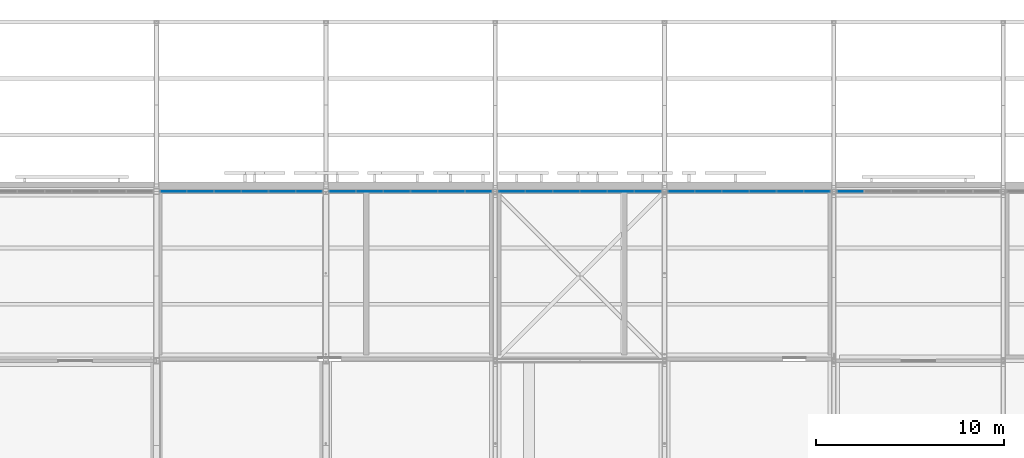
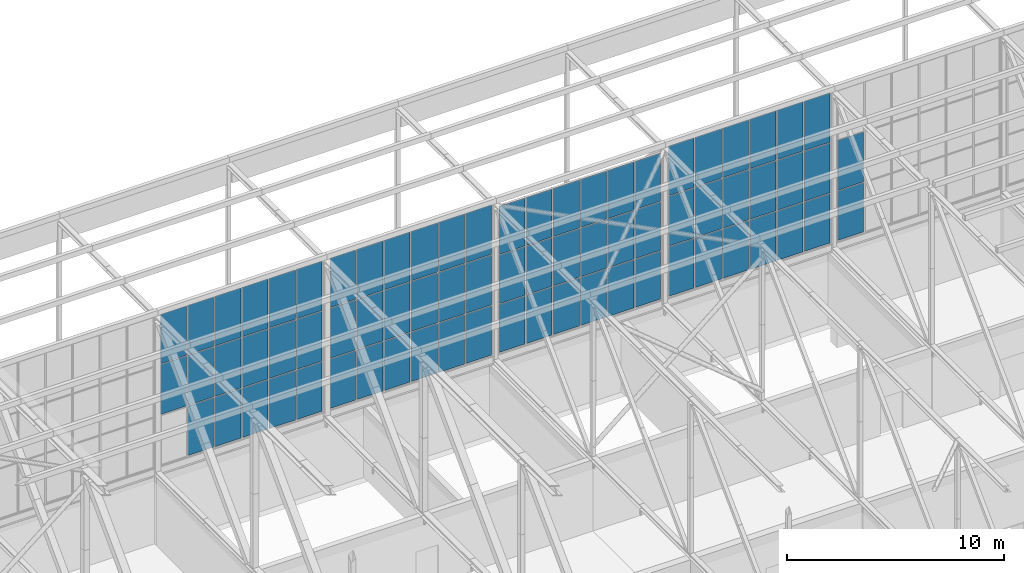
# One storey, part 162 of 646: 73 plates, 5 elements without a shape of their own.
"""IFC4 building model written with IfcOpenShell, lengths in metres."""

import ifcopenshell
import ifcopenshell.guid

model = None  # the IFC model being written
_history = None  # IfcOwnerHistory: only IFC2X3 demands one
_inside = {}  # id of a spatial element -> (the spatial element, [elements in it])
_under = {}  # id of a project, library or spatial element -> (it, [spatial elements below it])
_declared = {}  # id of a project -> (the project, [libraries it declares])
_typed = {}  # id of a type object -> (the type object, [elements of that type])
_made_of = {}  # id of a material, layer set ... -> (it, [elements and type objects made of it])


def new_model(schema):
    """Start an empty IFC model of exactly this schema.

    Asked for "IFC4X3", IfcOpenShell would pick the latest addendum, in which some entities
    have other attributes; the version numbers below select the first issue.
    IFC2X3 requires an IfcOwnerHistory on every rooted entity: one is made here for all.
    """
    global model, _history
    if schema == "IFC4X3":
        model = ifcopenshell.file(schema_version=(4, 3, 0, 0))
    else:
        model = ifcopenshell.file(schema=schema)
    _inside.clear()
    _under.clear()
    _declared.clear()
    _typed.clear()
    _made_of.clear()
    _history = None
    if model.schema == "IFC2X3":
        org = make("IfcOrganization", Name="unknown")
        user = make(
            "IfcPersonAndOrganization",
            ThePerson=make("IfcPerson", FamilyName="unknown"),
            TheOrganization=org,
        )
        app = make(
            "IfcApplication",
            ApplicationDeveloper=org,
            Version="unknown",
            ApplicationFullName="unknown",
            ApplicationIdentifier="unknown",
        )
        _history = make(
            "IfcOwnerHistory",
            OwningUser=user,
            OwningApplication=app,
            ChangeAction="ADDED",
            CreationDate=0,
        )
    return model


def make(cls, **values):
    """One entity of the class cls with the attributes given. An attribute that is None is left unset."""
    return model.create_entity(
        cls, **{name: value for name, value in values.items() if value is not None}
    )


def rooted(cls, **values):
    """An entity with a GlobalId (a new one), such as an element, a storey or a relation."""
    return make(cls, GlobalId=ifcopenshell.guid.new(), OwnerHistory=_history, **values)


def si_unit(unit_type, name, prefix=None):
    """IfcSIUnit, for example si_unit("LENGTHUNIT", "METRE", prefix="MILLI")."""
    return make("IfcSIUnit", UnitType=unit_type, Prefix=prefix, Name=name)


def assignment(units):
    """IfcUnitAssignment: the units of a project."""
    return None if units is None else make("IfcUnitAssignment", Units=units)


def point(xyz):
    """IfcCartesianPoint."""
    return None if xyz is None else make("IfcCartesianPoint", Coordinates=xyz)


def direction(xyz):
    """IfcDirection."""
    return None if xyz is None else make("IfcDirection", DirectionRatios=xyz)


def frame(location, z_axis=None, x_axis=None):
    """IfcAxis2Placement3D, a coordinate frame: its origin and axes. An axis left out is left unset."""
    return make(
        "IfcAxis2Placement3D",
        Location=point(location),
        Axis=direction(z_axis),
        RefDirection=direction(x_axis),
    )


def frame_2d(location, x_axis=None):
    """IfcAxis2Placement2D, a coordinate frame in the plane: its origin and x axis."""
    return make(
        "IfcAxis2Placement2D", Location=point(location), RefDirection=direction(x_axis)
    )


def origin():
    """The frame at (0, 0, 0) with its axes left unset."""
    return frame((0.0, 0.0, 0.0))


def origin_2d():
    """The frame at (0, 0) in the plane with its x axis left unset."""
    return frame_2d((0.0, 0.0))


def place(relative_to, where):
    """IfcLocalPlacement: puts the frame where relative to a parent placement (None: the world)."""
    return make(
        "IfcLocalPlacement", PlacementRelTo=relative_to, RelativePlacement=where
    )


def context(
    kind, dimensions, precision=None, world=None, true_north=None, identifier=None
):
    """IfcGeometricRepresentationContext, for example the 3D "Model" context."""
    return make(
        "IfcGeometricRepresentationContext",
        ContextIdentifier=identifier,
        ContextType=kind,
        CoordinateSpaceDimension=dimensions,
        Precision=precision,
        WorldCoordinateSystem=world,
        TrueNorth=true_north,
    )


def subcontext(parent, identifier, kind, view, scale=None):
    """IfcGeometricRepresentationSubContext, for example "Body" below "Model"."""
    return make(
        "IfcGeometricRepresentationSubContext",
        ContextIdentifier=identifier,
        ContextType=kind,
        ParentContext=parent,
        TargetScale=scale,
        TargetView=view,
    )


def project(units=None, contexts=None):
    """IfcProject with its units and contexts."""
    return rooted(
        "IfcProject",
        Name="project",
        RepresentationContexts=contexts,
        UnitsInContext=assignment(units),
    )


def spatial(cls, under=None, at=None, **own):
    """A site, building, storey or space (cls), placed at a placement, below another one or the project."""
    s = rooted(cls, ObjectPlacement=at, **own)
    if under is not None:
        _under.setdefault(under.id(), (under, []))[1].append(s)
    return s


def profile(cls, at=None, kind="AREA", **sizes):
    """A parametric profile (cls). Its sizes go by their IFC names, for example OverallWidth=200.0."""
    return make(cls, ProfileType=kind, Position=at, **sizes)


def rectangle(**sizes):
    """IfcRectangleProfileDef."""
    return profile("IfcRectangleProfileDef", **sizes)


def extrude(swept, where, along, depth):
    """IfcExtrudedAreaSolid: the profile swept, set in the frame where, extruded along a direction by depth."""
    return make(
        "IfcExtrudedAreaSolid",
        SweptArea=swept,
        Position=where,
        ExtrudedDirection=direction(along),
        Depth=depth,
    )


def shape(context_of_items, identifier, shape_type, items):
    """IfcShapeRepresentation: the items that make up one representation, for example the "Body"."""
    return make(
        "IfcShapeRepresentation",
        ContextOfItems=context_of_items,
        RepresentationIdentifier=identifier,
        RepresentationType=shape_type,
        Items=items,
    )


def material(Name=None, Category=None):
    """IfcMaterial."""
    return make("IfcMaterial", Name=Name, Category=Category)


def layer(
    of_material, thickness, ventilated=None, Name=None, Category=None, Priority=None
):
    """IfcMaterialLayer: one layer of a wall or slab, of a material (None: an air gap)."""
    return make(
        "IfcMaterialLayer",
        Material=of_material,
        LayerThickness=thickness,
        IsVentilated=ventilated,
        Name=Name,
        Category=Category,
        Priority=Priority,
    )


def layer_set(layers, Name=None):
    """IfcMaterialLayerSet."""
    return make("IfcMaterialLayerSet", MaterialLayers=layers, LayerSetName=Name)


def made_of(thing, what):
    """Note that an element or type object is made of a material, layer set ...; save() writes the relation."""
    if what is not None:
        _made_of.setdefault(what.id(), (what, []))[1].append(thing)
    return thing


def type_object(cls, material=None, **own):
    """A type object (cls), such as IfcWallType, which elements share."""
    return made_of(rooted(cls, **own), material)


def element(
    cls,
    number,
    at=None,
    inside=None,
    cuts=None,
    type_object=None,
    material=None,
    context=None,
    identifier="Body",
    shape_type=None,
    held_by="IfcProductDefinitionShape",
    body=None,
    shapes=None,
    **own,
):
    """One element of the class cls, such as IfcWall. Its Tag is "e" and its number.

    at: its placement. inside: the storey or other place that contains it. cuts: it is an
    opening in that element (IfcRelVoidsElement). A single representation is given by context,
    identifier, shape_type and body (its items); several are given by shapes. held_by: the class
    of the entity that holds the representations. save() writes the other relations.
    """
    e = rooted(cls, Tag="e%d" % number, ObjectPlacement=at, **own)
    if body is not None:
        shapes = [shape(context, identifier, shape_type, body)]
    if shapes is not None:
        e.Representation = make(held_by, Representations=shapes)
    if inside is not None:
        _inside.setdefault(inside.id(), (inside, []))[1].append(e)
    if cuts is not None:
        rooted(
            "IfcRelVoidsElement", RelatingBuildingElement=cuts, RelatedOpeningElement=e
        )
    if type_object is not None:
        _typed.setdefault(type_object.id(), (type_object, []))[1].append(e)
    return made_of(e, material)


def aggregate(whole, parts):
    """IfcRelAggregates: a whole, such as a stair, and the parts it consists of."""
    return rooted("IfcRelAggregates", RelatingObject=whole, RelatedObjects=parts)


def save(model, path):
    """Write the relations noted so far, then the file.

    IfcRelAggregates (storeys below a building ...), IfcRelContainedInSpatialStructure (elements
    in a storey), IfcRelDefinesByType, IfcRelAssociatesMaterial and IfcRelDeclares: one each for
    every whole, place, type object, material and project.
    """
    for whole, parts in _under.values():
        aggregate(whole, parts)
    for where, things in _inside.values():
        rooted(
            "IfcRelContainedInSpatialStructure",
            RelatedElements=things,
            RelatingStructure=where,
        )
    for kind, things in _typed.values():
        rooted("IfcRelDefinesByType", RelatedObjects=things, RelatingType=kind)
    for what, things in _made_of.values():
        rooted("IfcRelAssociatesMaterial", RelatedObjects=things, RelatingMaterial=what)
    for by, libraries in _declared.values():
        rooted("IfcRelDeclares", RelatingContext=by, RelatedDefinitions=libraries)
    model.write(path)


model = new_model("IFC4")

# Units and contexts
model_context = context("Model", 3, precision=1e-05, world=origin(), true_north=direction((0.0, 1.0)))
body_context = subcontext(model_context, "Body", "Model", "MODEL_VIEW")
ifc_project = project(units=[si_unit("LENGTHUNIT", "METRE"), si_unit("AREAUNIT", "SQUARE_METRE"), si_unit("VOLUMEUNIT", "CUBIC_METRE"), si_unit("PLANEANGLEUNIT", "RADIAN"), si_unit("MASSUNIT", "GRAM", prefix="KILO")], contexts=[model_context])

# Site, building, storey
site_placement = place(None, origin())
site = spatial("IfcSite", under=ifc_project, at=site_placement, CompositionType="ELEMENT")
building_placement = place(site_placement, origin())
building = spatial("IfcBuilding", under=site, at=building_placement, Name="Silverbay Arena", CompositionType="ELEMENT")
storey_placement = place(building_placement, frame((0.0, 0.0, 33.5)))
storey = spatial("IfcBuildingStorey", under=building, at=storey_placement, Name="L05", CompositionType="ELEMENT", Elevation=33.5)

# Curtain wall, plates
ifc_material_1 = material(Name="Aluminium framed glazing", Category="aluminium")
curtain_wall_type_1 = type_object("IfcCurtainWallType", Name="Curtain wall clerestory 8693 x 8540", PredefinedType="NOTDEFINED", material=ifc_material_1)
curtain_wall_1_placement = place(storey_placement, origin())
curtain_wall_1 = element("IfcCurtainWall", 1, at=curtain_wall_1_placement, inside=storey, type_object=curtain_wall_type_1, Name="ROOF CLERESTORY CURTAIN WALL north bay 11", PredefinedType="NOTDEFINED")
ifc_material_2 = material(Name="Laminated glass", Category="glass")
ifc_layer = layer(ifc_material_2, 0.028076171875)
ifc_layer_set = layer_set([ifc_layer], Name="Laminated glass")
plate_type = type_object("IfcPlateType", Name="Glass panel 28", PredefinedType="CURTAIN_PANEL", material=ifc_layer_set)
plate_1_placement = place(storey_placement, frame((144.89306640625, 144.0, 7.33154296875), z_axis=(0.0, 0.0, 1.0), x_axis=(1.0, 0.0, 0.0)))
plate_1 = element("IfcPlate", 2, at=plate_1_placement, type_object=plate_type, Name="CW55 panel 1.2", PredefinedType="CURTAIN_PANEL", context=body_context, shape_type="SweptSolid", body=[
    extrude(rectangle(XDim=1.35888671875, YDim=0.028076171875, at=origin_2d()), origin(), (0.0, 0.0, 1.0), 2.796630859375),
])
plate_2_placement = place(storey_placement, frame((144.89306640625, 144.0, 10.17822265625), z_axis=(0.0, 0.0, 1.0), x_axis=(1.0, 0.0, 0.0)))
plate_2 = element("IfcPlate", 3, at=plate_2_placement, type_object=plate_type, Name="CW55 panel 1.3", PredefinedType="CURTAIN_PANEL", context=body_context, shape_type="SweptSolid", body=[
    extrude(rectangle(XDim=1.35888671875, YDim=0.028076171875, at=origin_2d()), origin(), (0.0, 0.0, 1.0), 2.771728515625),
])
plate_3_placement = place(storey_placement, frame((146.326904296875, 144.0, 4.509765625), z_axis=(0.0, 0.0, 1.0), x_axis=(1.0, 0.0, 0.0)))
plate_3 = element("IfcPlate", 4, at=plate_3_placement, type_object=plate_type, Name="CW55 panel 2.1", PredefinedType="CURTAIN_PANEL", context=body_context, shape_type="SweptSolid", body=[
    extrude(rectangle(XDim=1.388671875, YDim=0.028076171875, at=origin_2d()), origin(), (0.0, 0.0, 1.0), 2.771728515625),
])
plate_4_placement = place(storey_placement, frame((146.326904296875, 144.0, 7.33154296875), z_axis=(0.0, 0.0, 1.0), x_axis=(1.0, 0.0, 0.0)))
plate_4 = element("IfcPlate", 5, at=plate_4_placement, type_object=plate_type, Name="CW55 panel 2.2", PredefinedType="CURTAIN_PANEL", context=body_context, shape_type="SweptSolid", body=[
    extrude(rectangle(XDim=1.388671875, YDim=0.028076171875, at=origin_2d()), origin(), (0.0, 0.0, 1.0), 2.796630859375),
])
plate_5_placement = place(storey_placement, frame((146.326904296875, 144.0, 10.17822265625), z_axis=(0.0, 0.0, 1.0), x_axis=(1.0, 0.0, 0.0)))
plate_5 = element("IfcPlate", 6, at=plate_5_placement, type_object=plate_type, Name="CW55 panel 2.3", PredefinedType="CURTAIN_PANEL", context=body_context, shape_type="SweptSolid", body=[
    extrude(rectangle(XDim=1.388671875, YDim=0.028076171875, at=origin_2d()), origin(), (0.0, 0.0, 1.0), 2.771728515625),
])
plate_6_placement = place(storey_placement, frame((147.775634765625, 144.0, 4.509765625), z_axis=(0.0, 0.0, 1.0), x_axis=(1.0, 0.0, 0.0)))
plate_6 = element("IfcPlate", 7, at=plate_6_placement, type_object=plate_type, Name="CW55 panel 3.1", PredefinedType="CURTAIN_PANEL", context=body_context, shape_type="SweptSolid", body=[
    extrude(rectangle(XDim=1.388671875, YDim=0.028076171875, at=origin_2d()), origin(), (0.0, 0.0, 1.0), 2.771728515625),
])
plate_7_placement = place(storey_placement, frame((147.775634765625, 144.0, 7.33154296875), z_axis=(0.0, 0.0, 1.0), x_axis=(1.0, 0.0, 0.0)))
plate_7 = element("IfcPlate", 8, at=plate_7_placement, type_object=plate_type, Name="CW55 panel 3.2", PredefinedType="CURTAIN_PANEL", context=body_context, shape_type="SweptSolid", body=[
    extrude(rectangle(XDim=1.388671875, YDim=0.028076171875, at=origin_2d()), origin(), (0.0, 0.0, 1.0), 2.796630859375),
])
plate_8_placement = place(storey_placement, frame((147.775634765625, 144.0, 10.17822265625), z_axis=(0.0, 0.0, 1.0), x_axis=(1.0, 0.0, 0.0)))
plate_8 = element("IfcPlate", 9, at=plate_8_placement, type_object=plate_type, Name="CW55 panel 3.3", PredefinedType="CURTAIN_PANEL", context=body_context, shape_type="SweptSolid", body=[
    extrude(rectangle(XDim=1.388671875, YDim=0.028076171875, at=origin_2d()), origin(), (0.0, 0.0, 1.0), 2.771728515625),
])
plate_9_placement = place(storey_placement, frame((149.224365234375, 144.0, 4.509765625), z_axis=(0.0, 0.0, 1.0), x_axis=(1.0, 0.0, 0.0)))
plate_9 = element("IfcPlate", 10, at=plate_9_placement, type_object=plate_type, Name="CW55 panel 4.1", PredefinedType="CURTAIN_PANEL", context=body_context, shape_type="SweptSolid", body=[
    extrude(rectangle(XDim=1.388671875, YDim=0.028076171875, at=origin_2d()), origin(), (0.0, 0.0, 1.0), 2.771728515625),
])
plate_10_placement = place(storey_placement, frame((149.224365234375, 144.0, 7.33154296875), z_axis=(0.0, 0.0, 1.0), x_axis=(1.0, 0.0, 0.0)))
plate_10 = element("IfcPlate", 11, at=plate_10_placement, type_object=plate_type, Name="CW55 panel 4.2", PredefinedType="CURTAIN_PANEL", context=body_context, shape_type="SweptSolid", body=[
    extrude(rectangle(XDim=1.388671875, YDim=0.028076171875, at=origin_2d()), origin(), (0.0, 0.0, 1.0), 2.796630859375),
])
plate_11_placement = place(storey_placement, frame((149.224365234375, 144.0, 10.17822265625), z_axis=(0.0, 0.0, 1.0), x_axis=(1.0, 0.0, 0.0)))
plate_11 = element("IfcPlate", 12, at=plate_11_placement, type_object=plate_type, Name="CW55 panel 4.3", PredefinedType="CURTAIN_PANEL", context=body_context, shape_type="SweptSolid", body=[
    extrude(rectangle(XDim=1.388671875, YDim=0.028076171875, at=origin_2d()), origin(), (0.0, 0.0, 1.0), 2.771728515625),
])
plate_12_placement = place(storey_placement, frame((150.673095703125, 144.0, 4.509765625), z_axis=(0.0, 0.0, 1.0), x_axis=(1.0, 0.0, 0.0)))
plate_12 = element("IfcPlate", 13, at=plate_12_placement, type_object=plate_type, Name="CW55 panel 5.1", PredefinedType="CURTAIN_PANEL", context=body_context, shape_type="SweptSolid", body=[
    extrude(rectangle(XDim=1.388671875, YDim=0.028076171875, at=origin_2d()), origin(), (0.0, 0.0, 1.0), 2.771728515625),
])
plate_13_placement = place(storey_placement, frame((150.673095703125, 144.0, 7.33154296875), z_axis=(0.0, 0.0, 1.0), x_axis=(1.0, 0.0, 0.0)))
plate_13 = element("IfcPlate", 14, at=plate_13_placement, type_object=plate_type, Name="CW55 panel 5.2", PredefinedType="CURTAIN_PANEL", context=body_context, shape_type="SweptSolid", body=[
    extrude(rectangle(XDim=1.388671875, YDim=0.028076171875, at=origin_2d()), origin(), (0.0, 0.0, 1.0), 2.796630859375),
])
plate_14_placement = place(storey_placement, frame((150.673095703125, 144.0, 10.17822265625), z_axis=(0.0, 0.0, 1.0), x_axis=(1.0, 0.0, 0.0)))
plate_14 = element("IfcPlate", 15, at=plate_14_placement, type_object=plate_type, Name="CW55 panel 5.3", PredefinedType="CURTAIN_PANEL", context=body_context, shape_type="SweptSolid", body=[
    extrude(rectangle(XDim=1.388671875, YDim=0.028076171875, at=origin_2d()), origin(), (0.0, 0.0, 1.0), 2.771728515625),
])
plate_15_placement = place(storey_placement, frame((152.10693359375, 144.0, 4.509765625), z_axis=(0.0, 0.0, 1.0), x_axis=(1.0, 0.0, 0.0)))
plate_15 = element("IfcPlate", 16, at=plate_15_placement, type_object=plate_type, Name="CW55 panel 6.1", PredefinedType="CURTAIN_PANEL", context=body_context, shape_type="SweptSolid", body=[
    extrude(rectangle(XDim=1.35888671875, YDim=0.028076171875, at=origin_2d()), origin(), (0.0, 0.0, 1.0), 2.771728515625),
])
plate_16_placement = place(storey_placement, frame((152.10693359375, 144.0, 7.33154296875), z_axis=(0.0, 0.0, 1.0), x_axis=(1.0, 0.0, 0.0)))
plate_16 = element("IfcPlate", 17, at=plate_16_placement, type_object=plate_type, Name="CW55 panel 6.2", PredefinedType="CURTAIN_PANEL", context=body_context, shape_type="SweptSolid", body=[
    extrude(rectangle(XDim=1.35888671875, YDim=0.028076171875, at=origin_2d()), origin(), (0.0, 0.0, 1.0), 2.796630859375),
])
plate_17_placement = place(storey_placement, frame((152.10693359375, 144.0, 10.17822265625), z_axis=(0.0, 0.0, 1.0), x_axis=(1.0, 0.0, 0.0)))
plate_17 = element("IfcPlate", 18, at=plate_17_placement, type_object=plate_type, Name="CW55 panel 6.3", PredefinedType="CURTAIN_PANEL", context=body_context, shape_type="SweptSolid", body=[
    extrude(rectangle(XDim=1.35888671875, YDim=0.028076171875, at=origin_2d()), origin(), (0.0, 0.0, 1.0), 2.771728515625),
])
aggregate(curtain_wall_1, [plate_1, plate_2, plate_3, plate_4, plate_5, plate_6, plate_7, plate_8, plate_9, plate_10, plate_11, plate_12, plate_13, plate_14, plate_15, plate_16, plate_17])

curtain_wall_2_placement = place(storey_placement, origin())
curtain_wall_2 = element("IfcCurtainWall", 19, at=curtain_wall_2_placement, inside=storey, type_object=curtain_wall_type_1, Name="ROOF CLERESTORY CURTAIN WALL north bay 12", PredefinedType="NOTDEFINED")
plate_18_placement = place(storey_placement, frame((153.89306640625, 144.0, 4.509765625), z_axis=(0.0, 0.0, 1.0), x_axis=(1.0, 0.0, 0.0)))
plate_18 = element("IfcPlate", 20, at=plate_18_placement, type_object=plate_type, Name="CW55 panel 1.1", PredefinedType="CURTAIN_PANEL", context=body_context, shape_type="SweptSolid", body=[
    extrude(rectangle(XDim=1.35888671875, YDim=0.028076171875, at=origin_2d()), origin(), (0.0, 0.0, 1.0), 2.771728515625),
])
plate_19_placement = place(storey_placement, frame((153.89306640625, 144.0, 7.33154296875), z_axis=(0.0, 0.0, 1.0), x_axis=(1.0, 0.0, 0.0)))
plate_19 = element("IfcPlate", 21, at=plate_19_placement, type_object=plate_type, Name="CW55 panel 1.2", PredefinedType="CURTAIN_PANEL", context=body_context, shape_type="SweptSolid", body=[
    extrude(rectangle(XDim=1.35888671875, YDim=0.028076171875, at=origin_2d()), origin(), (0.0, 0.0, 1.0), 2.796630859375),
])
plate_20_placement = place(storey_placement, frame((153.89306640625, 144.0, 10.17822265625), z_axis=(0.0, 0.0, 1.0), x_axis=(1.0, 0.0, 0.0)))
plate_20 = element("IfcPlate", 22, at=plate_20_placement, type_object=plate_type, Name="CW55 panel 1.3", PredefinedType="CURTAIN_PANEL", context=body_context, shape_type="SweptSolid", body=[
    extrude(rectangle(XDim=1.35888671875, YDim=0.028076171875, at=origin_2d()), origin(), (0.0, 0.0, 1.0), 2.771728515625),
])
plate_21_placement = place(storey_placement, frame((155.326904296875, 144.0, 4.509765625), z_axis=(0.0, 0.0, 1.0), x_axis=(1.0, 0.0, 0.0)))
plate_21 = element("IfcPlate", 23, at=plate_21_placement, type_object=plate_type, Name="CW55 panel 2.1", PredefinedType="CURTAIN_PANEL", context=body_context, shape_type="SweptSolid", body=[
    extrude(rectangle(XDim=1.388671875, YDim=0.028076171875, at=origin_2d()), origin(), (0.0, 0.0, 1.0), 2.771728515625),
])
plate_22_placement = place(storey_placement, frame((155.326904296875, 144.0, 7.33154296875), z_axis=(0.0, 0.0, 1.0), x_axis=(1.0, 0.0, 0.0)))
plate_22 = element("IfcPlate", 24, at=plate_22_placement, type_object=plate_type, Name="CW55 panel 2.2", PredefinedType="CURTAIN_PANEL", context=body_context, shape_type="SweptSolid", body=[
    extrude(rectangle(XDim=1.388671875, YDim=0.028076171875, at=origin_2d()), origin(), (0.0, 0.0, 1.0), 2.796630859375),
])
plate_23_placement = place(storey_placement, frame((155.326904296875, 144.0, 10.17822265625), z_axis=(0.0, 0.0, 1.0), x_axis=(1.0, 0.0, 0.0)))
plate_23 = element("IfcPlate", 25, at=plate_23_placement, type_object=plate_type, Name="CW55 panel 2.3", PredefinedType="CURTAIN_PANEL", context=body_context, shape_type="SweptSolid", body=[
    extrude(rectangle(XDim=1.388671875, YDim=0.028076171875, at=origin_2d()), origin(), (0.0, 0.0, 1.0), 2.771728515625),
])
plate_24_placement = place(storey_placement, frame((156.775634765625, 144.0, 4.509765625), z_axis=(0.0, 0.0, 1.0), x_axis=(1.0, 0.0, 0.0)))
plate_24 = element("IfcPlate", 26, at=plate_24_placement, type_object=plate_type, Name="CW55 panel 3.1", PredefinedType="CURTAIN_PANEL", context=body_context, shape_type="SweptSolid", body=[
    extrude(rectangle(XDim=1.388671875, YDim=0.028076171875, at=origin_2d()), origin(), (0.0, 0.0, 1.0), 2.771728515625),
])
plate_25_placement = place(storey_placement, frame((156.775634765625, 144.0, 7.33154296875), z_axis=(0.0, 0.0, 1.0), x_axis=(1.0, 0.0, 0.0)))
plate_25 = element("IfcPlate", 27, at=plate_25_placement, type_object=plate_type, Name="CW55 panel 3.2", PredefinedType="CURTAIN_PANEL", context=body_context, shape_type="SweptSolid", body=[
    extrude(rectangle(XDim=1.388671875, YDim=0.028076171875, at=origin_2d()), origin(), (0.0, 0.0, 1.0), 2.796630859375),
])
plate_26_placement = place(storey_placement, frame((156.775634765625, 144.0, 10.17822265625), z_axis=(0.0, 0.0, 1.0), x_axis=(1.0, 0.0, 0.0)))
plate_26 = element("IfcPlate", 28, at=plate_26_placement, type_object=plate_type, Name="CW55 panel 3.3", PredefinedType="CURTAIN_PANEL", context=body_context, shape_type="SweptSolid", body=[
    extrude(rectangle(XDim=1.388671875, YDim=0.028076171875, at=origin_2d()), origin(), (0.0, 0.0, 1.0), 2.771728515625),
])
plate_27_placement = place(storey_placement, frame((158.224365234375, 144.0, 4.509765625), z_axis=(0.0, 0.0, 1.0), x_axis=(1.0, 0.0, 0.0)))
plate_27 = element("IfcPlate", 29, at=plate_27_placement, type_object=plate_type, Name="CW55 panel 4.1", PredefinedType="CURTAIN_PANEL", context=body_context, shape_type="SweptSolid", body=[
    extrude(rectangle(XDim=1.388671875, YDim=0.028076171875, at=origin_2d()), origin(), (0.0, 0.0, 1.0), 2.771728515625),
])
plate_28_placement = place(storey_placement, frame((158.224365234375, 144.0, 7.33154296875), z_axis=(0.0, 0.0, 1.0), x_axis=(1.0, 0.0, 0.0)))
plate_28 = element("IfcPlate", 30, at=plate_28_placement, type_object=plate_type, Name="CW55 panel 4.2", PredefinedType="CURTAIN_PANEL", context=body_context, shape_type="SweptSolid", body=[
    extrude(rectangle(XDim=1.388671875, YDim=0.028076171875, at=origin_2d()), origin(), (0.0, 0.0, 1.0), 2.796630859375),
])
plate_29_placement = place(storey_placement, frame((158.224365234375, 144.0, 10.17822265625), z_axis=(0.0, 0.0, 1.0), x_axis=(1.0, 0.0, 0.0)))
plate_29 = element("IfcPlate", 31, at=plate_29_placement, type_object=plate_type, Name="CW55 panel 4.3", PredefinedType="CURTAIN_PANEL", context=body_context, shape_type="SweptSolid", body=[
    extrude(rectangle(XDim=1.388671875, YDim=0.028076171875, at=origin_2d()), origin(), (0.0, 0.0, 1.0), 2.771728515625),
])
plate_30_placement = place(storey_placement, frame((159.673095703125, 144.0, 4.509765625), z_axis=(0.0, 0.0, 1.0), x_axis=(1.0, 0.0, 0.0)))
plate_30 = element("IfcPlate", 32, at=plate_30_placement, type_object=plate_type, Name="CW55 panel 5.1", PredefinedType="CURTAIN_PANEL", context=body_context, shape_type="SweptSolid", body=[
    extrude(rectangle(XDim=1.388671875, YDim=0.028076171875, at=origin_2d()), origin(), (0.0, 0.0, 1.0), 2.771728515625),
])
plate_31_placement = place(storey_placement, frame((159.673095703125, 144.0, 7.33154296875), z_axis=(0.0, 0.0, 1.0), x_axis=(1.0, 0.0, 0.0)))
plate_31 = element("IfcPlate", 33, at=plate_31_placement, type_object=plate_type, Name="CW55 panel 5.2", PredefinedType="CURTAIN_PANEL", context=body_context, shape_type="SweptSolid", body=[
    extrude(rectangle(XDim=1.388671875, YDim=0.028076171875, at=origin_2d()), origin(), (0.0, 0.0, 1.0), 2.796630859375),
])
plate_32_placement = place(storey_placement, frame((159.673095703125, 144.0, 10.17822265625), z_axis=(0.0, 0.0, 1.0), x_axis=(1.0, 0.0, 0.0)))
plate_32 = element("IfcPlate", 34, at=plate_32_placement, type_object=plate_type, Name="CW55 panel 5.3", PredefinedType="CURTAIN_PANEL", context=body_context, shape_type="SweptSolid", body=[
    extrude(rectangle(XDim=1.388671875, YDim=0.028076171875, at=origin_2d()), origin(), (0.0, 0.0, 1.0), 2.771728515625),
])
plate_33_placement = place(storey_placement, frame((161.10693359375, 144.0, 4.509765625), z_axis=(0.0, 0.0, 1.0), x_axis=(1.0, 0.0, 0.0)))
plate_33 = element("IfcPlate", 35, at=plate_33_placement, type_object=plate_type, Name="CW55 panel 6.1", PredefinedType="CURTAIN_PANEL", context=body_context, shape_type="SweptSolid", body=[
    extrude(rectangle(XDim=1.35888671875, YDim=0.028076171875, at=origin_2d()), origin(), (0.0, 0.0, 1.0), 2.771728515625),
])
plate_34_placement = place(storey_placement, frame((161.10693359375, 144.0, 7.33154296875), z_axis=(0.0, 0.0, 1.0), x_axis=(1.0, 0.0, 0.0)))
plate_34 = element("IfcPlate", 36, at=plate_34_placement, type_object=plate_type, Name="CW55 panel 6.2", PredefinedType="CURTAIN_PANEL", context=body_context, shape_type="SweptSolid", body=[
    extrude(rectangle(XDim=1.35888671875, YDim=0.028076171875, at=origin_2d()), origin(), (0.0, 0.0, 1.0), 2.796630859375),
])
plate_35_placement = place(storey_placement, frame((161.10693359375, 144.0, 10.17822265625), z_axis=(0.0, 0.0, 1.0), x_axis=(1.0, 0.0, 0.0)))
plate_35 = element("IfcPlate", 37, at=plate_35_placement, type_object=plate_type, Name="CW55 panel 6.3", PredefinedType="CURTAIN_PANEL", context=body_context, shape_type="SweptSolid", body=[
    extrude(rectangle(XDim=1.35888671875, YDim=0.028076171875, at=origin_2d()), origin(), (0.0, 0.0, 1.0), 2.771728515625),
])
aggregate(curtain_wall_2, [plate_18, plate_19, plate_20, plate_21, plate_22, plate_23, plate_24, plate_25, plate_26, plate_27, plate_28, plate_29, plate_30, plate_31, plate_32, plate_33, plate_34, plate_35])

ifc_material_3 = material(Name="Aluminium framed glazing", Category="aluminium")
curtain_wall_type_2 = type_object("IfcCurtainWallType", Name="Curtain wall clerestory 8693 x 8303", PredefinedType="NOTDEFINED", material=ifc_material_3)
curtain_wall_3_placement = place(storey_placement, origin())
curtain_wall_3 = element("IfcCurtainWall", 38, at=curtain_wall_3_placement, inside=storey, type_object=curtain_wall_type_2, Name="ROOF CLERESTORY CURTAIN WALL north bay 13", PredefinedType="NOTDEFINED")
plate_36_placement = place(storey_placement, frame((162.89306640625, 144.0, 4.510009765625), z_axis=(0.0, 0.0, 1.0), x_axis=(1.0, 0.0, 0.0)))
plate_36 = element("IfcPlate", 39, at=plate_36_placement, type_object=plate_type, Name="CW54 panel 1.1", PredefinedType="CURTAIN_PANEL", context=body_context, shape_type="SweptSolid", body=[
    extrude(rectangle(XDim=1.35888671875, YDim=0.028076171875, at=origin_2d()), origin(), (0.0, 0.0, 1.0), 2.69287109375),
])
plate_37_placement = place(storey_placement, frame((162.89306640625, 144.0, 7.2529296875), z_axis=(0.0, 0.0, 1.0), x_axis=(1.0, 0.0, 0.0)))
plate_37 = element("IfcPlate", 40, at=plate_37_placement, type_object=plate_type, Name="CW54 panel 1.2", PredefinedType="CURTAIN_PANEL", context=body_context, shape_type="SweptSolid", body=[
    extrude(rectangle(XDim=1.35888671875, YDim=0.028076171875, at=origin_2d()), origin(), (0.0, 0.0, 1.0), 2.7177734375),
])
plate_38_placement = place(storey_placement, frame((162.89306640625, 144.0, 10.0205078125), z_axis=(0.0, 0.0, 1.0), x_axis=(1.0, 0.0, 0.0)))
plate_38 = element("IfcPlate", 41, at=plate_38_placement, type_object=plate_type, Name="CW54 panel 1.3", PredefinedType="CURTAIN_PANEL", context=body_context, shape_type="SweptSolid", body=[
    extrude(rectangle(XDim=1.35888671875, YDim=0.028076171875, at=origin_2d()), origin(), (0.0, 0.0, 1.0), 2.69287109375),
])
plate_39_placement = place(storey_placement, frame((164.326904296875, 144.0, 4.510009765625), z_axis=(0.0, 0.0, 1.0), x_axis=(1.0, 0.0, 0.0)))
plate_39 = element("IfcPlate", 42, at=plate_39_placement, type_object=plate_type, Name="CW54 panel 2.1", PredefinedType="CURTAIN_PANEL", context=body_context, shape_type="SweptSolid", body=[
    extrude(rectangle(XDim=1.388671875, YDim=0.028076171875, at=origin_2d()), origin(), (0.0, 0.0, 1.0), 2.69287109375),
])
plate_40_placement = place(storey_placement, frame((164.326904296875, 144.0, 7.2529296875), z_axis=(0.0, 0.0, 1.0), x_axis=(1.0, 0.0, 0.0)))
plate_40 = element("IfcPlate", 43, at=plate_40_placement, type_object=plate_type, Name="CW54 panel 2.2", PredefinedType="CURTAIN_PANEL", context=body_context, shape_type="SweptSolid", body=[
    extrude(rectangle(XDim=1.388671875, YDim=0.028076171875, at=origin_2d()), origin(), (0.0, 0.0, 1.0), 2.7177734375),
])
plate_41_placement = place(storey_placement, frame((164.326904296875, 144.0, 10.0205078125), z_axis=(0.0, 0.0, 1.0), x_axis=(1.0, 0.0, 0.0)))
plate_41 = element("IfcPlate", 44, at=plate_41_placement, type_object=plate_type, Name="CW54 panel 2.3", PredefinedType="CURTAIN_PANEL", context=body_context, shape_type="SweptSolid", body=[
    extrude(rectangle(XDim=1.388671875, YDim=0.028076171875, at=origin_2d()), origin(), (0.0, 0.0, 1.0), 2.69287109375),
])
plate_42_placement = place(storey_placement, frame((165.775634765625, 144.0, 4.510009765625), z_axis=(0.0, 0.0, 1.0), x_axis=(1.0, 0.0, 0.0)))
plate_42 = element("IfcPlate", 45, at=plate_42_placement, type_object=plate_type, Name="CW54 panel 3.1", PredefinedType="CURTAIN_PANEL", context=body_context, shape_type="SweptSolid", body=[
    extrude(rectangle(XDim=1.388671875, YDim=0.028076171875, at=origin_2d()), origin(), (0.0, 0.0, 1.0), 2.69287109375),
])
plate_43_placement = place(storey_placement, frame((165.775634765625, 144.0, 7.2529296875), z_axis=(0.0, 0.0, 1.0), x_axis=(1.0, 0.0, 0.0)))
plate_43 = element("IfcPlate", 46, at=plate_43_placement, type_object=plate_type, Name="CW54 panel 3.2", PredefinedType="CURTAIN_PANEL", context=body_context, shape_type="SweptSolid", body=[
    extrude(rectangle(XDim=1.388671875, YDim=0.028076171875, at=origin_2d()), origin(), (0.0, 0.0, 1.0), 2.7177734375),
])
plate_44_placement = place(storey_placement, frame((165.775634765625, 144.0, 10.0205078125), z_axis=(0.0, 0.0, 1.0), x_axis=(1.0, 0.0, 0.0)))
plate_44 = element("IfcPlate", 47, at=plate_44_placement, type_object=plate_type, Name="CW54 panel 3.3", PredefinedType="CURTAIN_PANEL", context=body_context, shape_type="SweptSolid", body=[
    extrude(rectangle(XDim=1.388671875, YDim=0.028076171875, at=origin_2d()), origin(), (0.0, 0.0, 1.0), 2.69287109375),
])
plate_45_placement = place(storey_placement, frame((167.224365234375, 144.0, 4.510009765625), z_axis=(0.0, 0.0, 1.0), x_axis=(1.0, 0.0, 0.0)))
plate_45 = element("IfcPlate", 48, at=plate_45_placement, type_object=plate_type, Name="CW54 panel 4.1", PredefinedType="CURTAIN_PANEL", context=body_context, shape_type="SweptSolid", body=[
    extrude(rectangle(XDim=1.388671875, YDim=0.028076171875, at=origin_2d()), origin(), (0.0, 0.0, 1.0), 2.69287109375),
])
plate_46_placement = place(storey_placement, frame((167.224365234375, 144.0, 7.2529296875), z_axis=(0.0, 0.0, 1.0), x_axis=(1.0, 0.0, 0.0)))
plate_46 = element("IfcPlate", 49, at=plate_46_placement, type_object=plate_type, Name="CW54 panel 4.2", PredefinedType="CURTAIN_PANEL", context=body_context, shape_type="SweptSolid", body=[
    extrude(rectangle(XDim=1.388671875, YDim=0.028076171875, at=origin_2d()), origin(), (0.0, 0.0, 1.0), 2.7177734375),
])
plate_47_placement = place(storey_placement, frame((167.224365234375, 144.0, 10.0205078125), z_axis=(0.0, 0.0, 1.0), x_axis=(1.0, 0.0, 0.0)))
plate_47 = element("IfcPlate", 50, at=plate_47_placement, type_object=plate_type, Name="CW54 panel 4.3", PredefinedType="CURTAIN_PANEL", context=body_context, shape_type="SweptSolid", body=[
    extrude(rectangle(XDim=1.388671875, YDim=0.028076171875, at=origin_2d()), origin(), (0.0, 0.0, 1.0), 2.69287109375),
])
plate_48_placement = place(storey_placement, frame((168.673095703125, 144.0, 4.510009765625), z_axis=(0.0, 0.0, 1.0), x_axis=(1.0, 0.0, 0.0)))
plate_48 = element("IfcPlate", 51, at=plate_48_placement, type_object=plate_type, Name="CW54 panel 5.1", PredefinedType="CURTAIN_PANEL", context=body_context, shape_type="SweptSolid", body=[
    extrude(rectangle(XDim=1.388671875, YDim=0.028076171875, at=origin_2d()), origin(), (0.0, 0.0, 1.0), 2.69287109375),
])
plate_49_placement = place(storey_placement, frame((168.673095703125, 144.0, 7.2529296875), z_axis=(0.0, 0.0, 1.0), x_axis=(1.0, 0.0, 0.0)))
plate_49 = element("IfcPlate", 52, at=plate_49_placement, type_object=plate_type, Name="CW54 panel 5.2", PredefinedType="CURTAIN_PANEL", context=body_context, shape_type="SweptSolid", body=[
    extrude(rectangle(XDim=1.388671875, YDim=0.028076171875, at=origin_2d()), origin(), (0.0, 0.0, 1.0), 2.7177734375),
])
plate_50_placement = place(storey_placement, frame((168.673095703125, 144.0, 10.0205078125), z_axis=(0.0, 0.0, 1.0), x_axis=(1.0, 0.0, 0.0)))
plate_50 = element("IfcPlate", 53, at=plate_50_placement, type_object=plate_type, Name="CW54 panel 5.3", PredefinedType="CURTAIN_PANEL", context=body_context, shape_type="SweptSolid", body=[
    extrude(rectangle(XDim=1.388671875, YDim=0.028076171875, at=origin_2d()), origin(), (0.0, 0.0, 1.0), 2.69287109375),
])
plate_51_placement = place(storey_placement, frame((170.10693359375, 144.0, 4.510009765625), z_axis=(0.0, 0.0, 1.0), x_axis=(1.0, 0.0, 0.0)))
plate_51 = element("IfcPlate", 54, at=plate_51_placement, type_object=plate_type, Name="CW54 panel 6.1", PredefinedType="CURTAIN_PANEL", context=body_context, shape_type="SweptSolid", body=[
    extrude(rectangle(XDim=1.35888671875, YDim=0.028076171875, at=origin_2d()), origin(), (0.0, 0.0, 1.0), 2.69287109375),
])
plate_52_placement = place(storey_placement, frame((170.10693359375, 144.0, 7.2529296875), z_axis=(0.0, 0.0, 1.0), x_axis=(1.0, 0.0, 0.0)))
plate_52 = element("IfcPlate", 55, at=plate_52_placement, type_object=plate_type, Name="CW54 panel 6.2", PredefinedType="CURTAIN_PANEL", context=body_context, shape_type="SweptSolid", body=[
    extrude(rectangle(XDim=1.35888671875, YDim=0.028076171875, at=origin_2d()), origin(), (0.0, 0.0, 1.0), 2.7177734375),
])
plate_53_placement = place(storey_placement, frame((170.10693359375, 144.0, 10.0205078125), z_axis=(0.0, 0.0, 1.0), x_axis=(1.0, 0.0, 0.0)))
plate_53 = element("IfcPlate", 56, at=plate_53_placement, type_object=plate_type, Name="CW54 panel 6.3", PredefinedType="CURTAIN_PANEL", context=body_context, shape_type="SweptSolid", body=[
    extrude(rectangle(XDim=1.35888671875, YDim=0.028076171875, at=origin_2d()), origin(), (0.0, 0.0, 1.0), 2.69287109375),
])
aggregate(curtain_wall_3, [plate_36, plate_37, plate_38, plate_39, plate_40, plate_41, plate_42, plate_43, plate_44, plate_45, plate_46, plate_47, plate_48, plate_49, plate_50, plate_51, plate_52, plate_53])

curtain_wall_4_placement = place(storey_placement, origin())
curtain_wall_4 = element("IfcCurtainWall", 57, at=curtain_wall_4_placement, inside=storey, type_object=curtain_wall_type_1, Name="ROOF CLERESTORY CURTAIN WALL north bay 14", PredefinedType="NOTDEFINED")
plate_54_placement = place(storey_placement, frame((171.89306640625, 144.0, 4.509765625), z_axis=(0.0, 0.0, 1.0), x_axis=(1.0, 0.0, 0.0)))
plate_54 = element("IfcPlate", 58, at=plate_54_placement, type_object=plate_type, Name="CW55 panel 1.1", PredefinedType="CURTAIN_PANEL", context=body_context, shape_type="SweptSolid", body=[
    extrude(rectangle(XDim=1.35888671875, YDim=0.028076171875, at=origin_2d()), origin(), (0.0, 0.0, 1.0), 2.771728515625),
])
plate_55_placement = place(storey_placement, frame((171.89306640625, 144.0, 7.33154296875), z_axis=(0.0, 0.0, 1.0), x_axis=(1.0, 0.0, 0.0)))
plate_55 = element("IfcPlate", 59, at=plate_55_placement, type_object=plate_type, Name="CW55 panel 1.2", PredefinedType="CURTAIN_PANEL", context=body_context, shape_type="SweptSolid", body=[
    extrude(rectangle(XDim=1.35888671875, YDim=0.028076171875, at=origin_2d()), origin(), (0.0, 0.0, 1.0), 2.796630859375),
])
plate_56_placement = place(storey_placement, frame((171.89306640625, 144.0, 10.17822265625), z_axis=(0.0, 0.0, 1.0), x_axis=(1.0, 0.0, 0.0)))
plate_56 = element("IfcPlate", 60, at=plate_56_placement, type_object=plate_type, Name="CW55 panel 1.3", PredefinedType="CURTAIN_PANEL", context=body_context, shape_type="SweptSolid", body=[
    extrude(rectangle(XDim=1.35888671875, YDim=0.028076171875, at=origin_2d()), origin(), (0.0, 0.0, 1.0), 2.771728515625),
])
plate_57_placement = place(storey_placement, frame((173.326904296875, 144.0, 4.509765625), z_axis=(0.0, 0.0, 1.0), x_axis=(1.0, 0.0, 0.0)))
plate_57 = element("IfcPlate", 61, at=plate_57_placement, type_object=plate_type, Name="CW55 panel 2.1", PredefinedType="CURTAIN_PANEL", context=body_context, shape_type="SweptSolid", body=[
    extrude(rectangle(XDim=1.388671875, YDim=0.028076171875, at=origin_2d()), origin(), (0.0, 0.0, 1.0), 2.771728515625),
])
plate_58_placement = place(storey_placement, frame((173.326904296875, 144.0, 7.33154296875), z_axis=(0.0, 0.0, 1.0), x_axis=(1.0, 0.0, 0.0)))
plate_58 = element("IfcPlate", 62, at=plate_58_placement, type_object=plate_type, Name="CW55 panel 2.2", PredefinedType="CURTAIN_PANEL", context=body_context, shape_type="SweptSolid", body=[
    extrude(rectangle(XDim=1.388671875, YDim=0.028076171875, at=origin_2d()), origin(), (0.0, 0.0, 1.0), 2.796630859375),
])
plate_59_placement = place(storey_placement, frame((173.326904296875, 144.0, 10.17822265625), z_axis=(0.0, 0.0, 1.0), x_axis=(1.0, 0.0, 0.0)))
plate_59 = element("IfcPlate", 63, at=plate_59_placement, type_object=plate_type, Name="CW55 panel 2.3", PredefinedType="CURTAIN_PANEL", context=body_context, shape_type="SweptSolid", body=[
    extrude(rectangle(XDim=1.388671875, YDim=0.028076171875, at=origin_2d()), origin(), (0.0, 0.0, 1.0), 2.771728515625),
])
plate_60_placement = place(storey_placement, frame((174.775634765625, 144.0, 4.509765625), z_axis=(0.0, 0.0, 1.0), x_axis=(1.0, 0.0, 0.0)))
plate_60 = element("IfcPlate", 64, at=plate_60_placement, type_object=plate_type, Name="CW55 panel 3.1", PredefinedType="CURTAIN_PANEL", context=body_context, shape_type="SweptSolid", body=[
    extrude(rectangle(XDim=1.388671875, YDim=0.028076171875, at=origin_2d()), origin(), (0.0, 0.0, 1.0), 2.771728515625),
])
plate_61_placement = place(storey_placement, frame((174.775634765625, 144.0, 7.33154296875), z_axis=(0.0, 0.0, 1.0), x_axis=(1.0, 0.0, 0.0)))
plate_61 = element("IfcPlate", 65, at=plate_61_placement, type_object=plate_type, Name="CW55 panel 3.2", PredefinedType="CURTAIN_PANEL", context=body_context, shape_type="SweptSolid", body=[
    extrude(rectangle(XDim=1.388671875, YDim=0.028076171875, at=origin_2d()), origin(), (0.0, 0.0, 1.0), 2.796630859375),
])
plate_62_placement = place(storey_placement, frame((174.775634765625, 144.0, 10.17822265625), z_axis=(0.0, 0.0, 1.0), x_axis=(1.0, 0.0, 0.0)))
plate_62 = element("IfcPlate", 66, at=plate_62_placement, type_object=plate_type, Name="CW55 panel 3.3", PredefinedType="CURTAIN_PANEL", context=body_context, shape_type="SweptSolid", body=[
    extrude(rectangle(XDim=1.388671875, YDim=0.028076171875, at=origin_2d()), origin(), (0.0, 0.0, 1.0), 2.771728515625),
])
plate_63_placement = place(storey_placement, frame((176.224365234375, 144.0, 4.509765625), z_axis=(0.0, 0.0, 1.0), x_axis=(1.0, 0.0, 0.0)))
plate_63 = element("IfcPlate", 67, at=plate_63_placement, type_object=plate_type, Name="CW55 panel 4.1", PredefinedType="CURTAIN_PANEL", context=body_context, shape_type="SweptSolid", body=[
    extrude(rectangle(XDim=1.388671875, YDim=0.028076171875, at=origin_2d()), origin(), (0.0, 0.0, 1.0), 2.771728515625),
])
plate_64_placement = place(storey_placement, frame((176.224365234375, 144.0, 7.33154296875), z_axis=(0.0, 0.0, 1.0), x_axis=(1.0, 0.0, 0.0)))
plate_64 = element("IfcPlate", 68, at=plate_64_placement, type_object=plate_type, Name="CW55 panel 4.2", PredefinedType="CURTAIN_PANEL", context=body_context, shape_type="SweptSolid", body=[
    extrude(rectangle(XDim=1.388671875, YDim=0.028076171875, at=origin_2d()), origin(), (0.0, 0.0, 1.0), 2.796630859375),
])
plate_65_placement = place(storey_placement, frame((176.224365234375, 144.0, 10.17822265625), z_axis=(0.0, 0.0, 1.0), x_axis=(1.0, 0.0, 0.0)))
plate_65 = element("IfcPlate", 69, at=plate_65_placement, type_object=plate_type, Name="CW55 panel 4.3", PredefinedType="CURTAIN_PANEL", context=body_context, shape_type="SweptSolid", body=[
    extrude(rectangle(XDim=1.388671875, YDim=0.028076171875, at=origin_2d()), origin(), (0.0, 0.0, 1.0), 2.771728515625),
])
plate_66_placement = place(storey_placement, frame((177.673095703125, 144.0, 4.509765625), z_axis=(0.0, 0.0, 1.0), x_axis=(1.0, 0.0, 0.0)))
plate_66 = element("IfcPlate", 70, at=plate_66_placement, type_object=plate_type, Name="CW55 panel 5.1", PredefinedType="CURTAIN_PANEL", context=body_context, shape_type="SweptSolid", body=[
    extrude(rectangle(XDim=1.388671875, YDim=0.028076171875, at=origin_2d()), origin(), (0.0, 0.0, 1.0), 2.771728515625),
])
plate_67_placement = place(storey_placement, frame((177.673095703125, 144.0, 7.33154296875), z_axis=(0.0, 0.0, 1.0), x_axis=(1.0, 0.0, 0.0)))
plate_67 = element("IfcPlate", 71, at=plate_67_placement, type_object=plate_type, Name="CW55 panel 5.2", PredefinedType="CURTAIN_PANEL", context=body_context, shape_type="SweptSolid", body=[
    extrude(rectangle(XDim=1.388671875, YDim=0.028076171875, at=origin_2d()), origin(), (0.0, 0.0, 1.0), 2.796630859375),
])
plate_68_placement = place(storey_placement, frame((177.673095703125, 144.0, 10.17822265625), z_axis=(0.0, 0.0, 1.0), x_axis=(1.0, 0.0, 0.0)))
plate_68 = element("IfcPlate", 72, at=plate_68_placement, type_object=plate_type, Name="CW55 panel 5.3", PredefinedType="CURTAIN_PANEL", context=body_context, shape_type="SweptSolid", body=[
    extrude(rectangle(XDim=1.388671875, YDim=0.028076171875, at=origin_2d()), origin(), (0.0, 0.0, 1.0), 2.771728515625),
])
plate_69_placement = place(storey_placement, frame((179.10693359375, 144.0, 4.509765625), z_axis=(0.0, 0.0, 1.0), x_axis=(1.0, 0.0, 0.0)))
plate_69 = element("IfcPlate", 73, at=plate_69_placement, type_object=plate_type, Name="CW55 panel 6.1", PredefinedType="CURTAIN_PANEL", context=body_context, shape_type="SweptSolid", body=[
    extrude(rectangle(XDim=1.35888671875, YDim=0.028076171875, at=origin_2d()), origin(), (0.0, 0.0, 1.0), 2.771728515625),
])
plate_70_placement = place(storey_placement, frame((179.10693359375, 144.0, 7.33154296875), z_axis=(0.0, 0.0, 1.0), x_axis=(1.0, 0.0, 0.0)))
plate_70 = element("IfcPlate", 74, at=plate_70_placement, type_object=plate_type, Name="CW55 panel 6.2", PredefinedType="CURTAIN_PANEL", context=body_context, shape_type="SweptSolid", body=[
    extrude(rectangle(XDim=1.35888671875, YDim=0.028076171875, at=origin_2d()), origin(), (0.0, 0.0, 1.0), 2.796630859375),
])
plate_71_placement = place(storey_placement, frame((179.10693359375, 144.0, 10.17822265625), z_axis=(0.0, 0.0, 1.0), x_axis=(1.0, 0.0, 0.0)))
plate_71 = element("IfcPlate", 75, at=plate_71_placement, type_object=plate_type, Name="CW55 panel 6.3", PredefinedType="CURTAIN_PANEL", context=body_context, shape_type="SweptSolid", body=[
    extrude(rectangle(XDim=1.35888671875, YDim=0.028076171875, at=origin_2d()), origin(), (0.0, 0.0, 1.0), 2.771728515625),
])
aggregate(curtain_wall_4, [plate_54, plate_55, plate_56, plate_57, plate_58, plate_59, plate_60, plate_61, plate_62, plate_63, plate_64, plate_65, plate_66, plate_67, plate_68, plate_69, plate_70, plate_71])

curtain_wall_5_placement = place(storey_placement, origin())
curtain_wall_5 = element("IfcCurtainWall", 76, at=curtain_wall_5_placement, inside=storey, type_object=curtain_wall_type_1, Name="ROOF CLERESTORY CURTAIN WALL north bay 15", PredefinedType="NOTDEFINED")
plate_72_placement = place(storey_placement, frame((180.89306640625, 144.0, 4.509765625), z_axis=(0.0, 0.0, 1.0), x_axis=(1.0, 0.0, 0.0)))
plate_72 = element("IfcPlate", 77, at=plate_72_placement, type_object=plate_type, Name="CW55 panel 1.1", PredefinedType="CURTAIN_PANEL", context=body_context, shape_type="SweptSolid", body=[
    extrude(rectangle(XDim=1.35888671875, YDim=0.028076171875, at=origin_2d()), origin(), (0.0, 0.0, 1.0), 2.771728515625),
])
plate_73_placement = place(storey_placement, frame((180.89306640625, 144.0, 7.33154296875), z_axis=(0.0, 0.0, 1.0), x_axis=(1.0, 0.0, 0.0)))
plate_73 = element("IfcPlate", 78, at=plate_73_placement, type_object=plate_type, Name="CW55 panel 1.2", PredefinedType="CURTAIN_PANEL", context=body_context, shape_type="SweptSolid", body=[
    extrude(rectangle(XDim=1.35888671875, YDim=0.028076171875, at=origin_2d()), origin(), (0.0, 0.0, 1.0), 2.796630859375),
])
aggregate(curtain_wall_5, [plate_72, plate_73])

save(model, "model.ifc")
